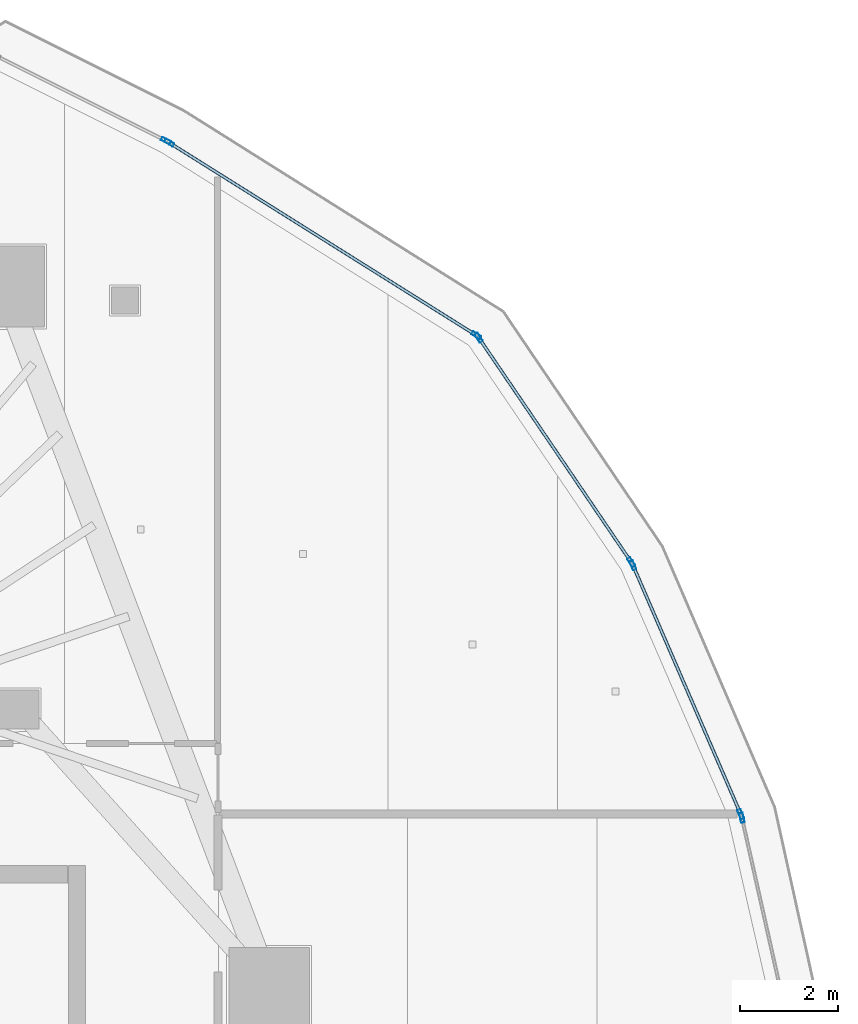
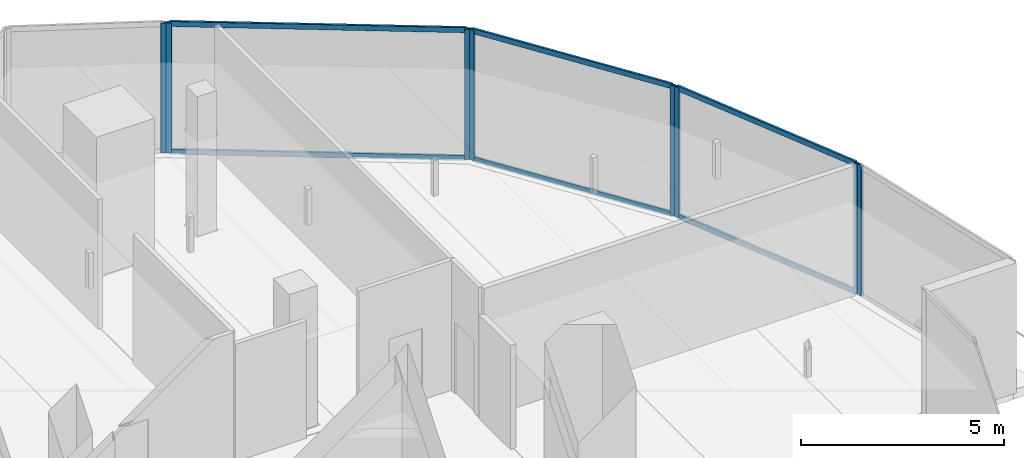
# One storey, part 20 of 33: 14 members, 5 elements without a shape of their own.
"""IFC4 building model written with IfcOpenShell, lengths in metres."""

from ifc_helpers import new_model, si_unit, direction, frame, origin, origin_2d, place, context, subcontext, project, spatial, hollow_rectangle, extrude, material, layer, layer_set, material_profile, profile_set, type_object, element, aggregate, save


model = new_model("IFC4")

# Units and contexts
model_context = context("Model", 3, precision=1e-05, world=origin(), true_north=direction((0.0, 1.0)))
body_context = subcontext(model_context, "Body", "Model", "MODEL_VIEW")
ifc_project = project(units=[si_unit("LENGTHUNIT", "METRE"), si_unit("AREAUNIT", "SQUARE_METRE"), si_unit("VOLUMEUNIT", "CUBIC_METRE"), si_unit("PLANEANGLEUNIT", "RADIAN"), si_unit("MASSUNIT", "GRAM", prefix="KILO")], contexts=[model_context])

# Site, building, storey
site_placement = place(None, origin())
site = spatial("IfcSite", under=ifc_project, at=site_placement, CompositionType="ELEMENT")
building_placement = place(site_placement, origin())
building = spatial("IfcBuilding", under=site, at=building_placement, Name="Qorvath Tower", CompositionType="ELEMENT")
storey_placement = place(building_placement, frame((0.0, 0.0, 280.800048828125)))
storey = spatial("IfcBuildingStorey", under=building, at=storey_placement, Name="L65", CompositionType="ELEMENT", Elevation=280.800048828125)

# Curtain wall, member
ifc_material_1 = material(Name="Anodised aluminium and triple low-E glass", Category="aluminium")
ifc_layer = layer(ifc_material_1, 0.179931640625)
ifc_layer_set = layer_set([ifc_layer], Name="CW-SYS-4")
curtain_wall_type = type_object("IfcCurtainWallType", Name="CW-SYS-4", PredefinedType="NOTDEFINED", material=ifc_layer_set)
curtain_wall_1_placement = place(storey_placement, origin())
curtain_wall_1 = element("IfcCurtainWall", 1, at=curtain_wall_1_placement, inside=storey, type_object=curtain_wall_type, Name="Curtain Wall CW-4 CW-T-L65-11.1", PredefinedType="NOTDEFINED")
ifc_material_2 = material(Name="Anodised aluminium 6063-T6", Category="aluminium")
ifc_material_profile_1 = material_profile(ifc_material_2, hollow_rectangle(XDim=0.074951171875, YDim=0.199951171875, WallThickness=0.00390625, InnerFilletRadius=0.00390625, OuterFilletRadius=0.008056640625, at=origin_2d()), Name="CWM 200x75")
ifc_profile_set_1 = profile_set([ifc_material_profile_1], Name="Anodised aluminium 6063-T6")
member_type_1 = type_object("IfcMemberType", Name="CWM-200", PredefinedType="MULLION", material=ifc_profile_set_1)
member_1_placement = place(storey_placement, frame((-2.4296875, 9.239501953125, 0.0), z_axis=(0.0, 0.0, 1.0), x_axis=(-0.975723622054, -0.2190055099, 0.0)))
member_1 = element("IfcMember", 2, at=member_1_placement, type_object=member_type_1, Name="CW-4 mullion 2", PredefinedType="MULLION", context=body_context, shape_type="SweptSolid", body=[
    extrude(hollow_rectangle(XDim=0.074951171875, YDim=0.199951171875, WallThickness=0.00390625, InnerFilletRadius=0.00390625, OuterFilletRadius=0.008056640625, at=origin_2d()), origin(), (0.0, 0.0, 1.0), 3.909912109375),
])
aggregate(curtain_wall_1, [member_1])

# Curtain wall, members
curtain_wall_2_placement = place(storey_placement, origin())
curtain_wall_2 = element("IfcCurtainWall", 3, at=curtain_wall_2_placement, inside=storey, type_object=curtain_wall_type, Name="Curtain Wall CW-4 CW-T-L65-12.1", PredefinedType="NOTDEFINED")
member_2_placement = place(storey_placement, frame((-2.452880859375, 9.310546875, 0.0), z_axis=(0.0, 0.0, 1.0), x_axis=(-0.917609911425, -0.397482138535, 0.0)))
member_2 = element("IfcMember", 4, at=member_2_placement, type_object=member_type_1, Name="CW-4 mullion 1", PredefinedType="MULLION", context=body_context, shape_type="SweptSolid", body=[
    extrude(hollow_rectangle(XDim=0.074951171875, YDim=0.199951171875, WallThickness=0.00390625, InnerFilletRadius=0.00390625, OuterFilletRadius=0.008056640625, at=origin_2d()), origin(), (0.0, 0.0, 1.0), 3.909912109375),
])
member_3_placement = place(storey_placement, frame((-4.65771484375, 14.400390625, 0.0), z_axis=(0.0, 0.0, 1.0), x_axis=(-0.917609911425, -0.397482138535, 0.0)))
member_3 = element("IfcMember", 5, at=member_3_placement, type_object=member_type_1, Name="CW-4 mullion 2", PredefinedType="MULLION", context=body_context, shape_type="SweptSolid", body=[
    extrude(hollow_rectangle(XDim=0.074951171875, YDim=0.199951171875, WallThickness=0.00390625, InnerFilletRadius=0.00390625, OuterFilletRadius=0.008056640625, at=origin_2d()), origin(), (0.0, 0.0, 1.0), 3.909912109375),
])

curtain_wall_3_placement = place(storey_placement, origin())
curtain_wall_3 = element("IfcCurtainWall", 6, at=curtain_wall_3_placement, inside=storey, type_object=curtain_wall_type, Name="Curtain Wall CW-4 CW-T-L65-13.1", PredefinedType="NOTDEFINED")
member_4_placement = place(storey_placement, frame((-4.693603515625, 14.4658203125, 0.0), z_axis=(0.0, 0.0, 1.0), x_axis=(-0.827205303431, -0.561899800655, 0.0)))
member_4 = element("IfcMember", 7, at=member_4_placement, type_object=member_type_1, Name="CW-4 mullion 1", PredefinedType="MULLION", context=body_context, shape_type="SweptSolid", body=[
    extrude(hollow_rectangle(XDim=0.074951171875, YDim=0.199951171875, WallThickness=0.00390625, InnerFilletRadius=0.00390625, OuterFilletRadius=0.008056640625, at=origin_2d()), origin(), (0.0, 0.0, 1.0), 3.909912109375),
])
member_5_placement = place(storey_placement, frame((-7.810546875, 19.05419921875, 0.0), z_axis=(0.0, 0.0, 1.0), x_axis=(-0.827205303431, -0.561899800655, 0.0)))
member_5 = element("IfcMember", 8, at=member_5_placement, type_object=member_type_1, Name="CW-4 mullion 2", PredefinedType="MULLION", context=body_context, shape_type="SweptSolid", body=[
    extrude(hollow_rectangle(XDim=0.074951171875, YDim=0.199951171875, WallThickness=0.00390625, InnerFilletRadius=0.00390625, OuterFilletRadius=0.008056640625, at=origin_2d()), origin(), (0.0, 0.0, 1.0), 3.909912109375),
])

curtain_wall_4_placement = place(storey_placement, origin())
curtain_wall_4 = element("IfcCurtainWall", 9, at=curtain_wall_4_placement, inside=storey, type_object=curtain_wall_type, Name="Curtain Wall CW-4 CW-T-L65-14.1", PredefinedType="NOTDEFINED")
member_6_placement = place(storey_placement, frame((-7.86328125, 19.105224609375, 0.0), z_axis=(0.0, 0.0, 1.0), x_axis=(-0.531481109944, -0.847070144541, 0.0)))
member_6 = element("IfcMember", 10, at=member_6_placement, type_object=member_type_1, Name="CW-4 mullion 1", PredefinedType="MULLION", context=body_context, shape_type="SweptSolid", body=[
    extrude(hollow_rectangle(XDim=0.074951171875, YDim=0.199951171875, WallThickness=0.00390625, InnerFilletRadius=0.00390625, OuterFilletRadius=0.008056640625, at=origin_2d()), origin(), (0.0, 0.0, 1.0), 3.909912109375),
])
member_7_placement = place(storey_placement, frame((-14.140625, 23.043701171875, 0.0), z_axis=(0.0, 0.0, 1.0), x_axis=(-0.531481109944, -0.847070144541, 0.0)))
member_7 = element("IfcMember", 11, at=member_7_placement, type_object=member_type_1, Name="CW-4 mullion 2", PredefinedType="MULLION", context=body_context, shape_type="SweptSolid", body=[
    extrude(hollow_rectangle(XDim=0.074951171875, YDim=0.199951171875, WallThickness=0.00390625, InnerFilletRadius=0.00390625, OuterFilletRadius=0.008056640625, at=origin_2d()), origin(), (0.0, 0.0, 1.0), 3.909912109375),
])

# Curtain wall, member
curtain_wall_5_placement = place(storey_placement, origin())
curtain_wall_5 = element("IfcCurtainWall", 12, at=curtain_wall_5_placement, inside=storey, type_object=curtain_wall_type, Name="Curtain Wall CW-4 CW-T-L65-15.1", PredefinedType="NOTDEFINED")
member_8_placement = place(storey_placement, frame((-14.2060546875, 23.08056640625, 0.0), z_axis=(0.0, 0.0, 1.0), x_axis=(-0.447223678296, -0.894422149531, 0.0)))
member_8 = element("IfcMember", 13, at=member_8_placement, type_object=member_type_1, Name="CW-4 mullion 1", PredefinedType="MULLION", context=body_context, shape_type="SweptSolid", body=[
    extrude(hollow_rectangle(XDim=0.074951171875, YDim=0.199951171875, WallThickness=0.00390625, InnerFilletRadius=0.00390625, OuterFilletRadius=0.008056640625, at=origin_2d()), origin(), (0.0, 0.0, 1.0), 3.909912109375),
])
aggregate(curtain_wall_5, [member_8])

# Member
ifc_material_3 = material(Name="Anodised aluminium 6063-T6", Category="aluminium")
ifc_material_profile_2 = material_profile(ifc_material_3, hollow_rectangle(XDim=0.06494140625, YDim=0.159912109375, WallThickness=0.00341796875, InnerFilletRadius=0.00341796875, OuterFilletRadius=0.007080078125, at=origin_2d()), Name="CWT 160x65")
ifc_profile_set_2 = profile_set([ifc_material_profile_2], Name="Anodised aluminium 6063-T6")
member_type_2 = type_object("IfcMemberType", Name="CWT-160", PredefinedType="USERDEFINED", material=ifc_profile_set_2)
member_9_placement = place(storey_placement, frame((-2.4677734375, 9.344970703125, 0.032470703125), z_axis=(-0.397497247506, 0.917603366507, 0.0), x_axis=(-0.917603366507, -0.397497247506, 0.0)))
member_9 = element("IfcMember", 14, at=member_9_placement, type_object=member_type_2, Name="CW-4 transom 1.1", ObjectType="TRANSOM", PredefinedType="USERDEFINED", context=body_context, shape_type="SweptSolid", body=[
    extrude(hollow_rectangle(XDim=0.06494140625, YDim=0.159912109375, WallThickness=0.00341796875, InnerFilletRadius=0.00341796875, OuterFilletRadius=0.007080078125, at=origin_2d()), origin(), (0.0, 0.0, 1.0), 5.471923828125),
])

member_10_placement = place(storey_placement, frame((-2.4677734375, 9.344970703125, 3.87744140625), z_axis=(-0.397497247506, 0.917603366507, 0.0), x_axis=(-0.917603366507, -0.397497247506, 0.0)))
member_10 = element("IfcMember", 15, at=member_10_placement, type_object=member_type_2, Name="CW-4 transom 1.2", ObjectType="TRANSOM", PredefinedType="USERDEFINED", context=body_context, shape_type="SweptSolid", body=[
    extrude(hollow_rectangle(XDim=0.06494140625, YDim=0.159912109375, WallThickness=0.00341796875, InnerFilletRadius=0.00341796875, OuterFilletRadius=0.007080078125, at=origin_2d()), origin(), (0.0, 0.0, 1.0), 5.471923828125),
])

aggregate(curtain_wall_2, [member_2, member_3, member_9, member_10])

member_11_placement = place(storey_placement, frame((-4.71484375, 14.496826171875, 0.032470703125), z_axis=(-0.561876698807, 0.827220995465, 0.0), x_axis=(-0.827220995465, -0.561876698807, 0.0)))
member_11 = element("IfcMember", 16, at=member_11_placement, type_object=member_type_2, Name="CW-4 transom 1.1", ObjectType="TRANSOM", PredefinedType="USERDEFINED", context=body_context, shape_type="SweptSolid", body=[
    extrude(hollow_rectangle(XDim=0.06494140625, YDim=0.159912109375, WallThickness=0.00341796875, InnerFilletRadius=0.00341796875, OuterFilletRadius=0.007080078125, at=origin_2d()), origin(), (0.0, 0.0, 1.0), 5.4716796875),
])

member_12_placement = place(storey_placement, frame((-4.71484375, 14.496826171875, 3.87744140625), z_axis=(-0.561876698807, 0.827220995465, 0.0), x_axis=(-0.827220995465, -0.561876698807, 0.0)))
member_12 = element("IfcMember", 17, at=member_12_placement, type_object=member_type_2, Name="CW-4 transom 1.2", ObjectType="TRANSOM", PredefinedType="USERDEFINED", context=body_context, shape_type="SweptSolid", body=[
    extrude(hollow_rectangle(XDim=0.06494140625, YDim=0.159912109375, WallThickness=0.00341796875, InnerFilletRadius=0.00341796875, OuterFilletRadius=0.007080078125, at=origin_2d()), origin(), (0.0, 0.0, 1.0), 5.4716796875),
])

aggregate(curtain_wall_3, [member_4, member_5, member_11, member_12])

member_13_placement = place(storey_placement, frame((-7.89501953125, 19.125, 0.032470703125), z_axis=(-0.84706213177, 0.531493880417, 0.0), x_axis=(-0.531493880417, -0.84706213177, 0.0)))
member_13 = element("IfcMember", 18, at=member_13_placement, type_object=member_type_2, Name="CW-4 transom 1.1", ObjectType="TRANSOM", PredefinedType="USERDEFINED", context=body_context, shape_type="SweptSolid", body=[
    extrude(hollow_rectangle(XDim=0.06494140625, YDim=0.159912109375, WallThickness=0.00341796875, InnerFilletRadius=0.00341796875, OuterFilletRadius=0.007080078125, at=origin_2d()), origin(), (0.0, 0.0, 1.0), 7.335693359375),
])

member_14_placement = place(storey_placement, frame((-7.89501953125, 19.125, 3.87744140625), z_axis=(-0.84706213177, 0.531493880417, 0.0), x_axis=(-0.531493880417, -0.84706213177, 0.0)))
member_14 = element("IfcMember", 19, at=member_14_placement, type_object=member_type_2, Name="CW-4 transom 1.2", ObjectType="TRANSOM", PredefinedType="USERDEFINED", context=body_context, shape_type="SweptSolid", body=[
    extrude(hollow_rectangle(XDim=0.06494140625, YDim=0.159912109375, WallThickness=0.00341796875, InnerFilletRadius=0.00341796875, OuterFilletRadius=0.007080078125, at=origin_2d()), origin(), (0.0, 0.0, 1.0), 7.335693359375),
])

aggregate(curtain_wall_4, [member_6, member_7, member_13, member_14])

save(model, "model.ifc")
